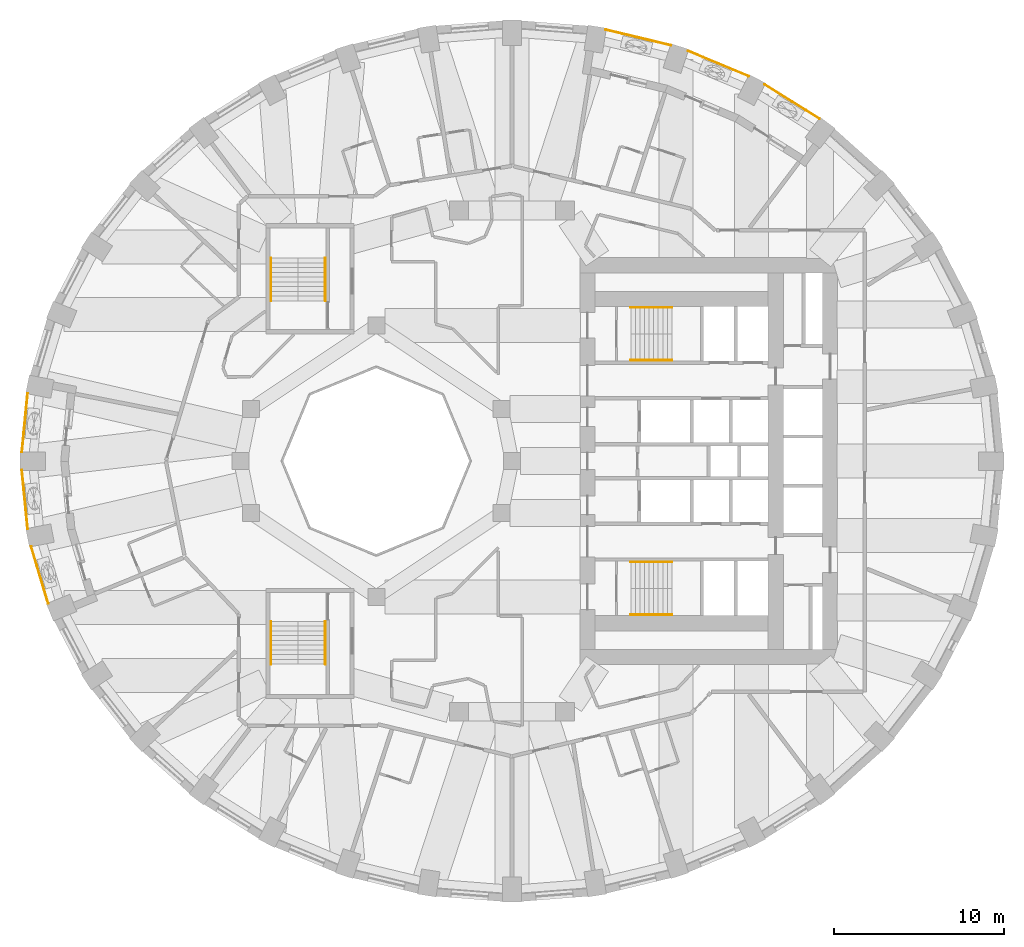
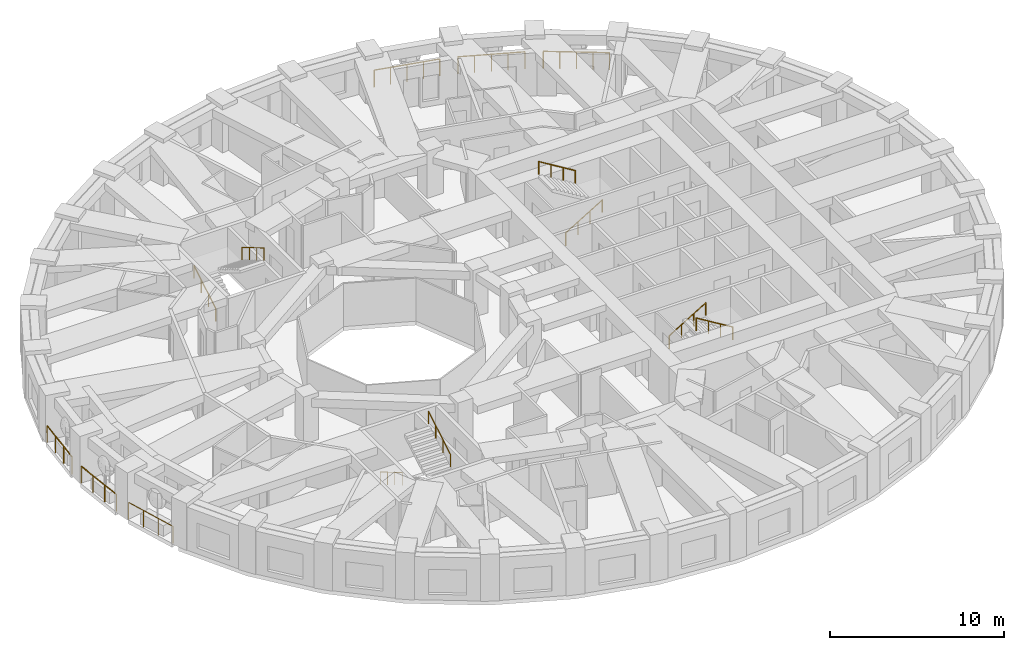
# One storey, part 12 of 14: 14 railings.
"""IFC4 building model written with IfcOpenShell, lengths in metres."""

from ifc_helpers import new_model, si_unit, direction, frame, origin, origin_2d, place, context, subcontext, project, spatial, circle, extrude, material, type_object, element, save


model = new_model("IFC4")

# Units and contexts
model_context = context("Model", 3, precision=1e-05, world=origin(), true_north=direction((0.0, 1.0)))
body_context = subcontext(model_context, "Body", "Model", "MODEL_VIEW")
ifc_project = project(units=[si_unit("LENGTHUNIT", "METRE"), si_unit("AREAUNIT", "SQUARE_METRE"), si_unit("VOLUMEUNIT", "CUBIC_METRE"), si_unit("PLANEANGLEUNIT", "RADIAN"), si_unit("MASSUNIT", "GRAM", prefix="KILO")], contexts=[model_context])

# Site, building, storey
site_placement = place(None, origin())
site = spatial("IfcSite", under=ifc_project, at=site_placement, CompositionType="ELEMENT")
building_placement = place(site_placement, origin())
building = spatial("IfcBuilding", under=site, at=building_placement, Name="Taillehof Tower", CompositionType="ELEMENT")
storey_placement = place(building_placement, frame((0.0, 0.0, 21.699951171875)))
storey = spatial("IfcBuildingStorey", under=building, at=storey_placement, Name="L04", CompositionType="ELEMENT", Elevation=21.699951171875)

# Railings
ifc_material_1 = material(Name="Stainless steel balustrade", Category="steel")
railing_type_1 = type_object("IfcRailingType", Name="Balcony guard 1200", PredefinedType="GUARDRAIL", material=ifc_material_1)
railing_1_placement = place(storey_placement, frame((18.12255859375, 20.176025390625, 0.0)))
element("IfcRailing", 1, at=railing_1_placement, inside=storey, type_object=railing_type_1, Name="Balcony guard L04 bay 6", PredefinedType="GUARDRAIL", context=body_context, shape_type="SweptSolid", body=[
    extrude(circle(Radius=0.02392578125, at=origin_2d()), frame((0.0, 0.0, 1.17578125), z_axis=(-0.847656150947, 0.530545992127, 0.0), x_axis=(-0.530545992127, -0.847656150947, 0.0)), (0.0, 0.0, 1.0), 3.810302734375),
    extrude(circle(Radius=0.02099609375, at=origin_2d()), origin(), (0.0, 0.0, 1.0), 1.15185546875),
    extrude(circle(Radius=0.02099609375, at=origin_2d()), frame((-0.807373046875, 0.50537109375, 0.0)), (0.0, 0.0, 1.0), 1.15185546875),
    extrude(circle(Radius=0.02099609375, at=origin_2d()), frame((-1.61474609375, 1.0107421875, 0.0)), (0.0, 0.0, 1.0), 1.15185546875),
    extrude(circle(Radius=0.02099609375, at=origin_2d()), frame((-2.42236328125, 1.51611328125, 0.0)), (0.0, 0.0, 1.0), 1.15185546875),
    extrude(circle(Radius=0.02099609375, at=origin_2d()), frame((-3.229736328125, 2.021484375, 0.0)), (0.0, 0.0, 1.0), 1.15185546875),
])
railing_2_placement = place(storey_placement, frame((13.951171875, 22.684326171875, 0.0)))
element("IfcRailing", 2, at=railing_2_placement, inside=storey, type_object=railing_type_1, Name="Balcony guard L04 bay 7", PredefinedType="GUARDRAIL", context=body_context, shape_type="SweptSolid", body=[
    extrude(circle(Radius=0.02392578125, at=origin_2d()), frame((0.0, 0.0, 1.17578125), z_axis=(-0.923011806559, 0.384771627011, 0.0), x_axis=(-0.384771627011, -0.923011806559, 0.0)), (0.0, 0.0, 1.0), 3.88330078125),
    extrude(circle(Radius=0.02099609375, at=origin_2d()), origin(), (0.0, 0.0, 1.0), 1.15185546875),
    extrude(circle(Radius=0.02099609375, at=origin_2d()), frame((-0.89599609375, 0.37353515625, 0.0)), (0.0, 0.0, 1.0), 1.15185546875),
    extrude(circle(Radius=0.02099609375, at=origin_2d()), frame((-1.7919921875, 0.7470703125, 0.0)), (0.0, 0.0, 1.0), 1.15185546875),
    extrude(circle(Radius=0.02099609375, at=origin_2d()), frame((-2.688232421875, 1.12060546875, 0.0)), (0.0, 0.0, 1.0), 1.15185546875),
    extrude(circle(Radius=0.02099609375, at=origin_2d()), frame((-3.584228515625, 1.494140625, 0.0)), (0.0, 0.0, 1.0), 1.15185546875),
])
railing_3_placement = place(storey_placement, frame((9.35888671875, 24.5068359375, 0.0)))
element("IfcRailing", 3, at=railing_3_placement, inside=storey, type_object=railing_type_1, Name="Balcony guard L04 bay 8", PredefinedType="GUARDRAIL", context=body_context, shape_type="SweptSolid", body=[
    extrude(circle(Radius=0.02392578125, at=origin_2d()), frame((0.0, 0.0, 1.17578125), z_axis=(-0.972495275648, 0.232922602687, 0.0), x_axis=(-0.232922602687, -0.972495275648, 0.0)), (0.0, 0.0, 1.0), 3.93701171875),
    extrude(circle(Radius=0.02099609375, at=origin_2d()), origin(), (0.0, 0.0, 1.0), 1.15185546875),
    extrude(circle(Radius=0.02099609375, at=origin_2d()), frame((-0.95703125, 0.229248046875, 0.0)), (0.0, 0.0, 1.0), 1.15185546875),
    extrude(circle(Radius=0.02099609375, at=origin_2d()), frame((-1.914306640625, 0.45849609375, 0.0)), (0.0, 0.0, 1.0), 1.15185546875),
    extrude(circle(Radius=0.02099609375, at=origin_2d()), frame((-2.87158203125, 0.687744140625, 0.0)), (0.0, 0.0, 1.0), 1.15185546875),
    extrude(circle(Radius=0.02099609375, at=origin_2d()), frame((-3.82861328125, 0.9169921875, 0.0)), (0.0, 0.0, 1.0), 1.15185546875),
])
railing_4_placement = place(storey_placement, frame((-28.549560546875, 3.987548828125, 0.0)))
element("IfcRailing", 4, at=railing_4_placement, inside=storey, type_object=railing_type_1, Name="Balcony guard L04 bay 18", PredefinedType="GUARDRAIL", context=body_context, shape_type="SweptSolid", body=[
    extrude(circle(Radius=0.02392578125, at=origin_2d()), frame((0.0, 0.0, 1.17578125), z_axis=(-0.097402182783, -0.995245102871, 0.0), x_axis=(0.995245102871, -0.097402182783, 0.0)), (0.0, 0.0, 1.0), 3.47412109375),
    extrude(circle(Radius=0.02099609375, at=origin_2d()), origin(), (0.0, 0.0, 1.0), 1.15185546875),
    extrude(circle(Radius=0.02099609375, at=origin_2d()), frame((-0.11279296875, -1.152587890625, 0.0)), (0.0, 0.0, 1.0), 1.15185546875),
    extrude(circle(Radius=0.02099609375, at=origin_2d()), frame((-0.2255859375, -2.304931640625, 0.0)), (0.0, 0.0, 1.0), 1.15185546875),
    extrude(circle(Radius=0.02099609375, at=origin_2d()), frame((-0.33837890625, -3.45751953125, 0.0)), (0.0, 0.0, 1.0), 1.15185546875),
])
railing_5_placement = place(storey_placement, frame((-28.887939453125, -0.530029296875, 0.0)))
element("IfcRailing", 5, at=railing_5_placement, inside=storey, type_object=railing_type_1, Name="Balcony guard L04 bay 19", PredefinedType="GUARDRAIL", context=body_context, shape_type="SweptSolid", body=[
    extrude(circle(Radius=0.02392578125, at=origin_2d()), frame((0.0, 0.0, 1.17578125), z_axis=(0.097402182783, -0.995245102871, 0.0), x_axis=(0.995245102871, 0.097402182783, 0.0)), (0.0, 0.0, 1.0), 3.47412109375),
    extrude(circle(Radius=0.02099609375, at=origin_2d()), origin(), (0.0, 0.0, 1.0), 1.15185546875),
    extrude(circle(Radius=0.02099609375, at=origin_2d()), frame((0.11279296875, -1.152587890625, 0.0)), (0.0, 0.0, 1.0), 1.15185546875),
    extrude(circle(Radius=0.02099609375, at=origin_2d()), frame((0.2255859375, -2.304931640625, 0.0)), (0.0, 0.0, 1.0), 1.15185546875),
    extrude(circle(Radius=0.02099609375, at=origin_2d()), frame((0.33837890625, -3.45751953125, 0.0)), (0.0, 0.0, 1.0), 1.15185546875),
])
railing_6_placement = place(storey_placement, frame((-28.3447265625, -5.02783203125, 0.0)))
element("IfcRailing", 6, at=railing_6_placement, inside=storey, type_object=railing_type_1, Name="Balcony guard L04 bay 20", PredefinedType="GUARDRAIL", context=body_context, shape_type="SweptSolid", body=[
    extrude(circle(Radius=0.02392578125, at=origin_2d()), frame((0.0, 0.0, 1.17578125), z_axis=(0.287098668231, -0.957901015085, 0.0), x_axis=(0.957901015085, 0.287098668231, 0.0)), (0.0, 0.0, 1.0), 3.505126953125),
    extrude(circle(Radius=0.02099609375, at=origin_2d()), origin(), (0.0, 0.0, 1.0), 1.15185546875),
    extrude(circle(Radius=0.02099609375, at=origin_2d()), frame((0.33544921875, -1.119140625, 0.0)), (0.0, 0.0, 1.0), 1.15185546875),
    extrude(circle(Radius=0.02099609375, at=origin_2d()), frame((0.6708984375, -2.238525390625, 0.0)), (0.0, 0.0, 1.0), 1.15185546875),
    extrude(circle(Radius=0.02099609375, at=origin_2d()), frame((1.00634765625, -3.357666015625, 0.0)), (0.0, 0.0, 1.0), 1.15185546875),
])
ifc_material_2 = material(Name="Stainless steel", Category="steel")
railing_type_2 = type_object("IfcRailingType", Name="Stair handrail 900", PredefinedType="HANDRAIL", material=ifc_material_2)
railing_7_placement = place(storey_placement, frame((7.0, 5.949951171875, 0.1650390625)))
element("IfcRailing", 7, at=railing_7_placement, inside=storey, type_object=railing_type_2, Name="Stair S1 handrail", PredefinedType="HANDRAIL", context=body_context, shape_type="SweptSolid", body=[
    extrude(circle(Radius=0.02392578125, at=origin_2d()), frame((0.0, 0.0, 0.8759765625), z_axis=(0.853258522278, 0.0, 0.521488153423), x_axis=(0.0, 1.0, 0.0)), (0.0, 0.0, 1.0), 2.847900390625),
    extrude(circle(Radius=0.02099609375, at=origin_2d()), origin(), (0.0, 0.0, 1.0), 0.851806640625),
    extrude(circle(Radius=0.02099609375, at=origin_2d()), frame((0.81005859375, 0.0, 0.4951171875)), (0.0, 0.0, 1.0), 0.851806640625),
    extrude(circle(Radius=0.02099609375, at=origin_2d()), frame((1.619873046875, 0.0, 0.989990234375)), (0.0, 0.0, 1.0), 0.851806640625),
    extrude(circle(Radius=0.02099609375, at=origin_2d()), frame((2.429931640625, 0.0, 1.485107421875)), (0.0, 0.0, 1.0), 0.851806640625),
])
railing_8_placement = place(storey_placement, frame((9.429931640625, 9.050048828125, 1.81494140625)))
element("IfcRailing", 8, at=railing_8_placement, inside=storey, type_object=railing_type_2, Name="Stair S1 handrail", PredefinedType="HANDRAIL", context=body_context, shape_type="SweptSolid", body=[
    extrude(circle(Radius=0.02392578125, at=origin_2d()), frame((0.0, 0.0, 0.8759765625), z_axis=(-0.853258522278, 0.0, 0.521488153423), x_axis=(0.0, -1.0, 0.0)), (0.0, 0.0, 1.0), 2.847900390625),
    extrude(circle(Radius=0.02099609375, at=origin_2d()), origin(), (0.0, 0.0, 1.0), 0.851806640625),
    extrude(circle(Radius=0.02099609375, at=origin_2d()), frame((-0.81005859375, 0.0, 0.4951171875)), (0.0, 0.0, 1.0), 0.851806640625),
    extrude(circle(Radius=0.02099609375, at=origin_2d()), frame((-1.619873046875, 0.0, 0.989990234375)), (0.0, 0.0, 1.0), 0.851806640625),
    extrude(circle(Radius=0.02099609375, at=origin_2d()), frame((-2.429931640625, 0.0, 1.485107421875)), (0.0, 0.0, 1.0), 0.851806640625),
])
railing_9_placement = place(storey_placement, frame((7.0, -5.949951171875, 0.1650390625)))
element("IfcRailing", 9, at=railing_9_placement, inside=storey, type_object=railing_type_2, Name="Stair S2 handrail", PredefinedType="HANDRAIL", context=body_context, shape_type="SweptSolid", body=[
    extrude(circle(Radius=0.02392578125, at=origin_2d()), frame((0.0, 0.0, 0.8759765625), z_axis=(0.853258522278, 0.0, 0.521488153423), x_axis=(0.0, 1.0, 0.0)), (0.0, 0.0, 1.0), 2.847900390625),
    extrude(circle(Radius=0.02099609375, at=origin_2d()), origin(), (0.0, 0.0, 1.0), 0.851806640625),
    extrude(circle(Radius=0.02099609375, at=origin_2d()), frame((0.81005859375, 0.0, 0.4951171875)), (0.0, 0.0, 1.0), 0.851806640625),
    extrude(circle(Radius=0.02099609375, at=origin_2d()), frame((1.619873046875, 0.0, 0.989990234375)), (0.0, 0.0, 1.0), 0.851806640625),
    extrude(circle(Radius=0.02099609375, at=origin_2d()), frame((2.429931640625, 0.0, 1.485107421875)), (0.0, 0.0, 1.0), 0.851806640625),
])
railing_10_placement = place(storey_placement, frame((9.429931640625, -9.050048828125, 1.81494140625)))
element("IfcRailing", 10, at=railing_10_placement, inside=storey, type_object=railing_type_2, Name="Stair S2 handrail", PredefinedType="HANDRAIL", context=body_context, shape_type="SweptSolid", body=[
    extrude(circle(Radius=0.02392578125, at=origin_2d()), frame((0.0, 0.0, 0.8759765625), z_axis=(-0.853258522278, 0.0, 0.521488153423), x_axis=(0.0, -1.0, 0.0)), (0.0, 0.0, 1.0), 2.847900390625),
    extrude(circle(Radius=0.02099609375, at=origin_2d()), origin(), (0.0, 0.0, 1.0), 0.851806640625),
    extrude(circle(Radius=0.02099609375, at=origin_2d()), frame((-0.81005859375, 0.0, 0.4951171875)), (0.0, 0.0, 1.0), 0.851806640625),
    extrude(circle(Radius=0.02099609375, at=origin_2d()), frame((-1.619873046875, 0.0, 0.989990234375)), (0.0, 0.0, 1.0), 0.851806640625),
    extrude(circle(Radius=0.02099609375, at=origin_2d()), frame((-2.429931640625, 0.0, 1.485107421875)), (0.0, 0.0, 1.0), 0.851806640625),
])
railing_11_placement = place(storey_placement, frame((-14.199951171875, 9.449951171875, 0.1650390625)))
element("IfcRailing", 11, at=railing_11_placement, inside=storey, type_object=railing_type_2, Name="Stair S3 handrail", PredefinedType="HANDRAIL", context=body_context, shape_type="SweptSolid", body=[
    extrude(circle(Radius=0.02392578125, at=origin_2d()), frame((0.0, 0.0, 0.8759765625), z_axis=(0.0, 0.86152411907, 0.507716645641), x_axis=(-1.0, 0.0, 0.0)), (0.0, 0.0, 1.0), 2.925048828125),
    extrude(circle(Radius=0.02099609375, at=origin_2d()), origin(), (0.0, 0.0, 1.0), 0.851806640625),
    extrude(circle(Radius=0.02099609375, at=origin_2d()), frame((0.0, 0.840087890625, 0.4951171875)), (0.0, 0.0, 1.0), 0.851806640625),
    extrude(circle(Radius=0.02099609375, at=origin_2d()), frame((0.0, 1.679931640625, 0.989990234375)), (0.0, 0.0, 1.0), 0.851806640625),
    extrude(circle(Radius=0.02099609375, at=origin_2d()), frame((0.0, 2.52001953125, 1.485107421875)), (0.0, 0.0, 1.0), 0.851806640625),
])
for number, where, name in (
    (12, (-11.0, 11.969970703125, 1.81494140625), "Stair S3 handrail"),
    (13, (-14.199951171875, -9.449951171875, 0.1650390625), "Stair S4 handrail"),
):
    element("IfcRailing", number, at=place(storey_placement, frame(where)), inside=storey, type_object=railing_type_2, Name=name, PredefinedType="HANDRAIL", context=body_context, shape_type="SweptSolid", body=[
        extrude(circle(Radius=0.02392578125, at=origin_2d()), frame((0.0, 0.0, 0.8759765625), z_axis=(0.0, -0.86152411907, 0.507716645641), x_axis=(1.0, 0.0, 0.0)), (0.0, 0.0, 1.0), 2.925048828125),
        extrude(circle(Radius=0.02099609375, at=origin_2d()), origin(), (0.0, 0.0, 1.0), 0.851806640625),
        extrude(circle(Radius=0.02099609375, at=origin_2d()), frame((0.0, -0.840087890625, 0.4951171875)), (0.0, 0.0, 1.0), 0.851806640625),
        extrude(circle(Radius=0.02099609375, at=origin_2d()), frame((0.0, -1.679931640625, 0.989990234375)), (0.0, 0.0, 1.0), 0.851806640625),
        extrude(circle(Radius=0.02099609375, at=origin_2d()), frame((0.0, -2.52001953125, 1.485107421875)), (0.0, 0.0, 1.0), 0.851806640625),
    ])
railing_12_placement = place(storey_placement, frame((-11.0, -11.969970703125, 1.81494140625)))
element("IfcRailing", 14, at=railing_12_placement, inside=storey, type_object=railing_type_2, Name="Stair S4 handrail", PredefinedType="HANDRAIL", context=body_context, shape_type="SweptSolid", body=[
    extrude(circle(Radius=0.02392578125, at=origin_2d()), frame((0.0, 0.0, 0.8759765625), z_axis=(0.0, 0.86152411907, 0.507716645641), x_axis=(-1.0, 0.0, 0.0)), (0.0, 0.0, 1.0), 2.925048828125),
    extrude(circle(Radius=0.02099609375, at=origin_2d()), origin(), (0.0, 0.0, 1.0), 0.851806640625),
    extrude(circle(Radius=0.02099609375, at=origin_2d()), frame((0.0, 0.840087890625, 0.4951171875)), (0.0, 0.0, 1.0), 0.851806640625),
    extrude(circle(Radius=0.02099609375, at=origin_2d()), frame((0.0, 1.679931640625, 0.989990234375)), (0.0, 0.0, 1.0), 0.851806640625),
    extrude(circle(Radius=0.02099609375, at=origin_2d()), frame((0.0, 2.52001953125, 1.485107421875)), (0.0, 0.0, 1.0), 0.851806640625),
])

save(model, "model.ifc")
